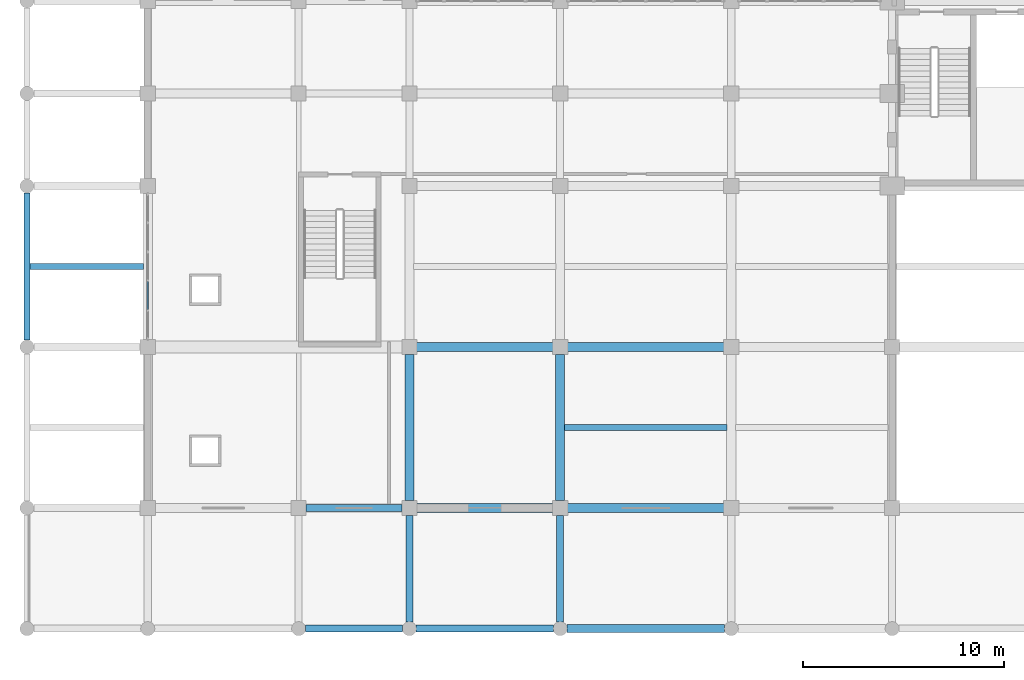
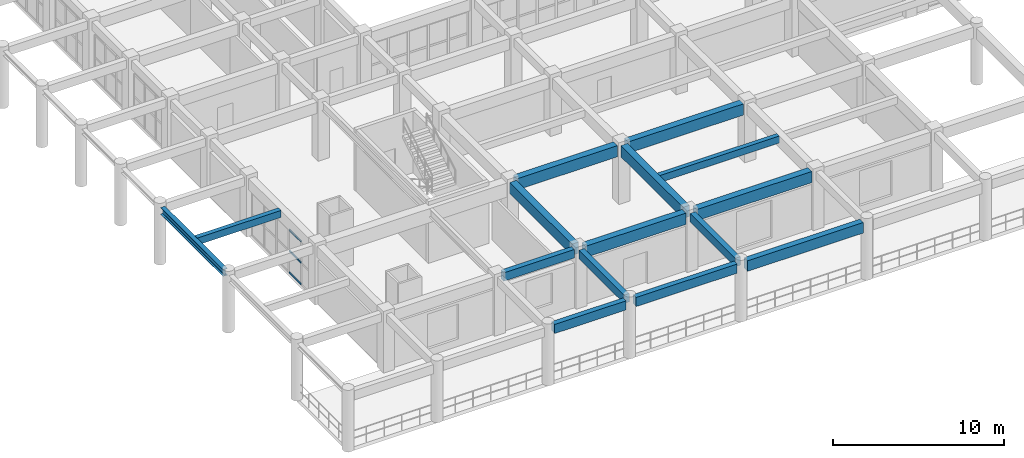
# One storey, part 5 of 116: 15 beams, 3 members, 1 element without a shape of its own.
"""IFC4 building model written with IfcOpenShell, lengths in metres."""

from ifc_helpers import new_model, si_unit, direction, frame, origin, origin_2d, place, context, subcontext, project, spatial, rectangle, hollow_rectangle, i_section, extrude, material, layer, layer_set, material_profile, profile_set, type_object, element, aggregate, save


model = new_model("IFC4")

# Units and contexts
model_context = context("Model", 3, precision=1e-05, world=origin(), true_north=direction((0.0, 1.0)))
body_context = subcontext(model_context, "Body", "Model", "MODEL_VIEW")
ifc_project = project(units=[si_unit("LENGTHUNIT", "METRE"), si_unit("AREAUNIT", "SQUARE_METRE"), si_unit("VOLUMEUNIT", "CUBIC_METRE"), si_unit("PLANEANGLEUNIT", "RADIAN"), si_unit("MASSUNIT", "GRAM", prefix="KILO")], contexts=[model_context])

# Site, building, storey
site_placement = place(None, origin())
site = spatial("IfcSite", under=ifc_project, at=site_placement, CompositionType="ELEMENT")
building_placement = place(site_placement, origin())
building = spatial("IfcBuilding", under=site, at=building_placement, Name="Muzn Square Opera House", CompositionType="ELEMENT")
storey_placement = place(building_placement, frame((0.0, 0.0, 5.39990234375)))
storey = spatial("IfcBuildingStorey", under=building, at=storey_placement, Name="L01", CompositionType="ELEMENT", Elevation=5.39990234375)

# Curtain wall, members
ifc_material_1 = material(Name="Low-E laminated acoustic double glazing", Category="glass")
ifc_layer = layer(ifc_material_1, 0.159912109375, Name="Low-E laminated acoustic double glazing", Category="glass")
ifc_layer_set = layer_set([ifc_layer], Name="Low-E laminated acoustic double glazing")
curtain_wall_type = type_object("IfcCurtainWallType", Name="Glazed Curtain Wall WestBlvd 7250x3100", PredefinedType="USERDEFINED", material=ifc_layer_set)
curtain_wall_placement = place(storey_placement, origin())
curtain_wall = element("IfcCurtainWall", 1, at=curtain_wall_placement, inside=storey, type_object=curtain_wall_type, Name="Glazed Curtain Wall CW-L01-139", ObjectType="GLAZED CURTAIN WALL", PredefinedType="USERDEFINED")
ifc_material_2 = material(Name="Anodised bronze aluminium 6063-T6", Category="metal")
ifc_material_profile_1 = material_profile(ifc_material_2, hollow_rectangle(XDim=0.06005859375, YDim=0.1201171875, WallThickness=0.00390625, at=origin_2d()), Name="ALU 120x60x4", Category="metal")
ifc_profile_set_1 = profile_set([ifc_material_profile_1], Name="Anodised bronze aluminium 6063-T6")
member_type = type_object("IfcMemberType", Name="Curtain Wall Transom 120x60", PredefinedType="USERDEFINED", material=ifc_profile_set_1)
member_1_placement = place(storey_placement, frame((6.0, 15.85498046875, 0.030029296875), z_axis=(0.0, 1.0, 0.0), x_axis=(-1.0, 0.0, 0.0)))
member_1 = element("IfcMember", 2, at=member_1_placement, type_object=member_type, Name="CW-WBL-72x31 transom 2.1", ObjectType="TRANSOM", PredefinedType="USERDEFINED", context=body_context, shape_type="SweptSolid", body=[
    extrude(hollow_rectangle(XDim=0.06005859375, YDim=0.1201171875, WallThickness=0.00390625, at=origin_2d()), origin(), (0.0, 0.0, 1.0), 1.39013671875),
])
member_2_placement = place(storey_placement, frame((6.0, 15.85498046875, 1.550048828125), z_axis=(0.0, 1.0, 0.0), x_axis=(-1.0, 0.0, 0.0)))
member_2 = element("IfcMember", 3, at=member_2_placement, type_object=member_type, Name="CW-WBL-72x31 transom 2.2", ObjectType="TRANSOM", PredefinedType="USERDEFINED", context=body_context, shape_type="SweptSolid", body=[
    extrude(hollow_rectangle(XDim=0.06005859375, YDim=0.1201171875, WallThickness=0.00390625, at=origin_2d()), origin(), (0.0, 0.0, 1.0), 1.39013671875),
])
member_3_placement = place(storey_placement, frame((6.0, 15.85498046875, 3.070068359375), z_axis=(0.0, 1.0, 0.0), x_axis=(-1.0, 0.0, 0.0)))
member_3 = element("IfcMember", 4, at=member_3_placement, type_object=member_type, Name="CW-WBL-72x31 transom 2.3", ObjectType="TRANSOM", PredefinedType="USERDEFINED", context=body_context, shape_type="SweptSolid", body=[
    extrude(hollow_rectangle(XDim=0.06005859375, YDim=0.1201171875, WallThickness=0.00390625, at=origin_2d()), origin(), (0.0, 0.0, 1.0), 1.39013671875),
])
aggregate(curtain_wall, [member_1, member_2, member_3])

# Beams
ifc_material_3 = material(Name="Concrete C40/50", Category="concrete")
ifc_material_profile_2 = material_profile(ifc_material_3, rectangle(XDim=0.300048828125, YDim=0.5, at=origin_2d()), Name="RCJ 300x500", Category="concrete")
ifc_profile_set_2 = profile_set([ifc_material_profile_2], Name="Concrete C40/50")
beam_type_1 = type_object("IfcBeamType", Name="Floor Joist 300x500", PredefinedType="JOIST", material=ifc_profile_set_2)
beam_1_placement = place(storey_placement, frame((0.14208984375, 18.0, 3.900146484375), z_axis=(1.0, 0.0, 0.0), x_axis=(0.0, 1.0, 0.0)))
element("IfcBeam", 5, at=beam_1_placement, inside=storey, type_object=beam_type_1, Name="Floor Joist BM-L01-BM-J500-1_180_58_180-1800", PredefinedType="JOIST", context=body_context, shape_type="SweptSolid", body=[
    extrude(rectangle(XDim=0.300048828125, YDim=0.5, at=origin_2d()), origin(), (0.0, 0.0, 1.0), 5.640869140625),
])
beam_2_placement = place(storey_placement, frame((26.717041015625, 10.0, 3.900146484375), z_axis=(1.0, 0.0, 0.0), x_axis=(0.0, 1.0, 0.0)))
element("IfcBeam", 6, at=beam_2_placement, inside=storey, type_object=beam_type_1, Name="Floor Joist BM-L01-BM-J500-267_100_348_100-1815", PredefinedType="JOIST", context=body_context, shape_type="SweptSolid", body=[
    extrude(rectangle(XDim=0.300048828125, YDim=0.5, at=origin_2d()), origin(), (0.0, 0.0, 1.0), 8.06591796875),
])
ifc_material_profile_3 = material_profile(ifc_material_3, rectangle(XDim=0.35009765625, YDim=0.60009765625, at=origin_2d()), Name="RCB 350x600", Category="concrete")
ifc_profile_set_3 = profile_set([ifc_material_profile_3], Name="Concrete C40/50")
beam_type_2 = type_object("IfcBeamType", Name="Primary Girder 350x600", PredefinedType="BEAM", material=ifc_profile_set_3)
beam_3_placement = place(storey_placement, frame((13.866943359375, 6.0, 3.85009765625), z_axis=(1.0, 0.0, 0.0), x_axis=(0.0, 1.0, 0.0)))
element("IfcBeam", 7, at=beam_3_placement, inside=storey, type_object=beam_type_2, Name="Primary Girder BM-L01-BM-PG600-139_60_186_60-1251", PredefinedType="BEAM", context=body_context, shape_type="SweptSolid", body=[
    extrude(rectangle(XDim=0.35009765625, YDim=0.60009765625, at=origin_2d()), origin(), (0.0, 0.0, 1.0), 4.76611328125),
])
for number, where, z_axis, x_axis, name in (
    (8, (19.0, 0.342041015625, 3.85009765625), (0.0, 1.0, 0.0), (-1.0, 0.0, 0.0), "Primary Girder BM-L01-BM-PG600-190_3_190_56-1553"),
    (9, (26.5, 0.342041015625, 3.85009765625), (0.0, 1.0, 0.0), (-1.0, 0.0, 0.0), "Primary Girder BM-L01-BM-PG600-265_3_265_56-1570"),
):
    element("IfcBeam", number, at=place(storey_placement, frame(where, z_axis=z_axis, x_axis=x_axis)), inside=storey, type_object=beam_type_2, Name=name, PredefinedType="BEAM", context=body_context, shape_type="SweptSolid", body=[
        extrude(rectangle(XDim=0.35009765625, YDim=0.60009765625, at=origin_2d()), origin(), (0.0, 0.0, 1.0), 5.291015625),
    ])
ifc_material_profile_4 = material_profile(ifc_material_3, rectangle(XDim=0.449951171875, YDim=0.800048828125, at=origin_2d()), Name="RCB 450x800", Category="concrete")
ifc_profile_set_4 = profile_set([ifc_material_profile_4], Name="Concrete C40/50")
beam_type_3 = type_object("IfcBeamType", Name="Primary Girder 450x800", PredefinedType="BEAM", material=ifc_profile_set_4)
beam_4_placement = place(storey_placement, frame((19.366943359375, 6.0, 3.75), z_axis=(1.0, 0.0, 0.0), x_axis=(0.0, 1.0, 0.0)))
element("IfcBeam", 10, at=beam_4_placement, inside=storey, type_object=beam_type_3, Name="Primary Girder BM-L01-BM-PG800-194_60_261_60-1252", PredefinedType="BEAM", context=body_context, shape_type="SweptSolid", body=[
    extrude(rectangle(XDim=0.449951171875, YDim=0.800048828125, at=origin_2d()), origin(), (0.0, 0.0, 1.0), 6.76611328125),
])
beam_5_placement = place(storey_placement, frame((26.866943359375, 6.0, 3.75), z_axis=(1.0, 0.0, 0.0), x_axis=(0.0, 1.0, 0.0)))
element("IfcBeam", 11, at=beam_5_placement, inside=storey, type_object=beam_type_3, Name="Primary Girder BM-L01-BM-PG800-269_60_346_60-1253", PredefinedType="BEAM", context=body_context, shape_type="SweptSolid", body=[
    extrude(rectangle(XDim=0.449951171875, YDim=0.800048828125, at=origin_2d()), origin(), (0.0, 0.0, 1.0), 7.76611328125),
])
beam_6_placement = place(storey_placement, frame((19.366943359375, 14.0, 3.72021484375), z_axis=(1.0, 0.0, 0.0), x_axis=(0.0, 1.0, 0.0)))
element("IfcBeam", 12, at=beam_6_placement, inside=storey, type_object=beam_type_3, Name="Primary Girder BM-L01-BM-PG800-194_140_261_140-1265", PredefinedType="BEAM", context=body_context, shape_type="SweptSolid", body=[
    extrude(rectangle(XDim=0.449951171875, YDim=0.800048828125, at=origin_2d()), origin(), (0.0, 0.0, 1.0), 6.76611328125),
])
beam_7_placement = place(storey_placement, frame((26.866943359375, 14.0, 3.72021484375), z_axis=(1.0, 0.0, 0.0), x_axis=(0.0, 1.0, 0.0)))
element("IfcBeam", 13, at=beam_7_placement, inside=storey, type_object=beam_type_3, Name="Primary Girder BM-L01-BM-PG800-269_140_346_140-1266", PredefinedType="BEAM", context=body_context, shape_type="SweptSolid", body=[
    extrude(rectangle(XDim=0.449951171875, YDim=0.800048828125, at=origin_2d()), origin(), (0.0, 0.0, 1.0), 7.76611328125),
])
for number, where, z_axis, x_axis, name in (
    (14, (19.0, 6.366943359375, 3.75), (0.0, 1.0, 0.0), (-1.0, 0.0, 0.0), "Primary Girder BM-L01-BM-PG800-190_64_190_136-1554"),
    (15, (26.5, 6.366943359375, 3.75), (0.0, 1.0, 0.0), (-1.0, 0.0, 0.0), "Primary Girder BM-L01-BM-PG800-265_64_265_136-1571"),
):
    element("IfcBeam", number, at=place(storey_placement, frame(where, z_axis=z_axis, x_axis=x_axis)), inside=storey, type_object=beam_type_3, Name=name, PredefinedType="BEAM", context=body_context, shape_type="SweptSolid", body=[
        extrude(rectangle(XDim=0.449951171875, YDim=0.800048828125, at=origin_2d()), origin(), (0.0, 0.0, 1.0), 7.26611328125),
    ])
ifc_material_profile_5 = material_profile(ifc_material_3, rectangle(XDim=0.35009765625, YDim=0.64990234375, at=origin_2d()), Name="RCS 350x650", Category="concrete")
ifc_profile_set_5 = profile_set([ifc_material_profile_5], Name="Concrete C40/50")
beam_type_4 = type_object("IfcBeamType", Name="Spandrel Beam 350x650", PredefinedType="SPANDREL", material=ifc_profile_set_5)
beam_8_placement = place(storey_placement, frame((13.842041015625, 0.0, 3.795166015625), z_axis=(1.0, 0.0, 0.0), x_axis=(0.0, 1.0, 0.0)))
element("IfcBeam", 16, at=beam_8_placement, inside=storey, type_object=beam_type_4, Name="Spandrel Beam BM-L01-BM-SP650-138_0_187_0-1237", PredefinedType="SPANDREL", context=body_context, shape_type="SweptSolid", body=[
    extrude(rectangle(XDim=0.35009765625, YDim=0.64990234375, at=origin_2d()), origin(), (0.0, 0.0, 1.0), 4.81591796875),
])
beam_9_placement = place(storey_placement, frame((19.342041015625, 0.0, 3.795166015625), z_axis=(1.0, 0.0, 0.0), x_axis=(0.0, 1.0, 0.0)))
element("IfcBeam", 17, at=beam_9_placement, inside=storey, type_object=beam_type_4, Name="Spandrel Beam BM-L01-BM-SP650-193_0_262_0-1238", PredefinedType="SPANDREL", context=body_context, shape_type="SweptSolid", body=[
    extrude(rectangle(XDim=0.35009765625, YDim=0.64990234375, at=origin_2d()), origin(), (0.0, 0.0, 1.0), 6.81591796875),
])
ifc_material_profile_6 = material_profile(ifc_material_3, rectangle(XDim=0.39990234375, YDim=0.75, at=origin_2d()), Name="RCS 400x750", Category="concrete")
ifc_profile_set_6 = profile_set([ifc_material_profile_6], Name="Concrete C40/50")
beam_type_5 = type_object("IfcBeamType", Name="Spandrel Beam 400x750", PredefinedType="SPANDREL", material=ifc_profile_set_6)
beam_10_placement = place(storey_placement, frame((26.842041015625, 0.0, 3.7451171875), z_axis=(1.0, 0.0, 0.0), x_axis=(0.0, 1.0, 0.0)))
element("IfcBeam", 18, at=beam_10_placement, inside=storey, type_object=beam_type_5, Name="Spandrel Beam BM-L01-BM-SP750-268_0_347_0-1239", PredefinedType="SPANDREL", context=body_context, shape_type="SweptSolid", body=[
    extrude(rectangle(XDim=0.39990234375, YDim=0.75, at=origin_2d()), origin(), (0.0, 0.0, 1.0), 7.81591796875),
])
ifc_material_4 = material(Name="Steel S355", Category="steel")
ifc_material_profile_7 = material_profile(ifc_material_4, i_section(OverallWidth=0.300048828125, OverallDepth=0.489990234375, WebThickness=0.011962890625, FlangeThickness=0.02294921875, FilletRadius=0.027099609375, at=origin_2d()), Name="HEA 500", Category="steel")
ifc_profile_set_7 = profile_set([ifc_material_profile_7], Name="Steel S355")
beam_type_6 = type_object("IfcBeamType", Name="Steel Spandrel Beam HEA500", PredefinedType="SPANDREL", material=ifc_profile_set_7)
beam_11_placement = place(storey_placement, frame((0.0, 14.342041015625, 3.875), z_axis=(0.0, 1.0, 0.0), x_axis=(-1.0, 0.0, 0.0)))
element("IfcBeam", 19, at=beam_11_placement, inside=storey, type_object=beam_type_6, Name="Spandrel Beam BM-L01-BM-SSP500-0_143_0_217-1510", PredefinedType="SPANDREL", context=body_context, shape_type="SweptSolid", body=[
    extrude(i_section(OverallWidth=0.300048828125, OverallDepth=0.489990234375, WebThickness=0.011962890625, FlangeThickness=0.02294921875, FilletRadius=0.027099609375, at=origin_2d()), origin(), (0.0, 0.0, 1.0), 7.31591796875),
])

save(model, "model.ifc")
